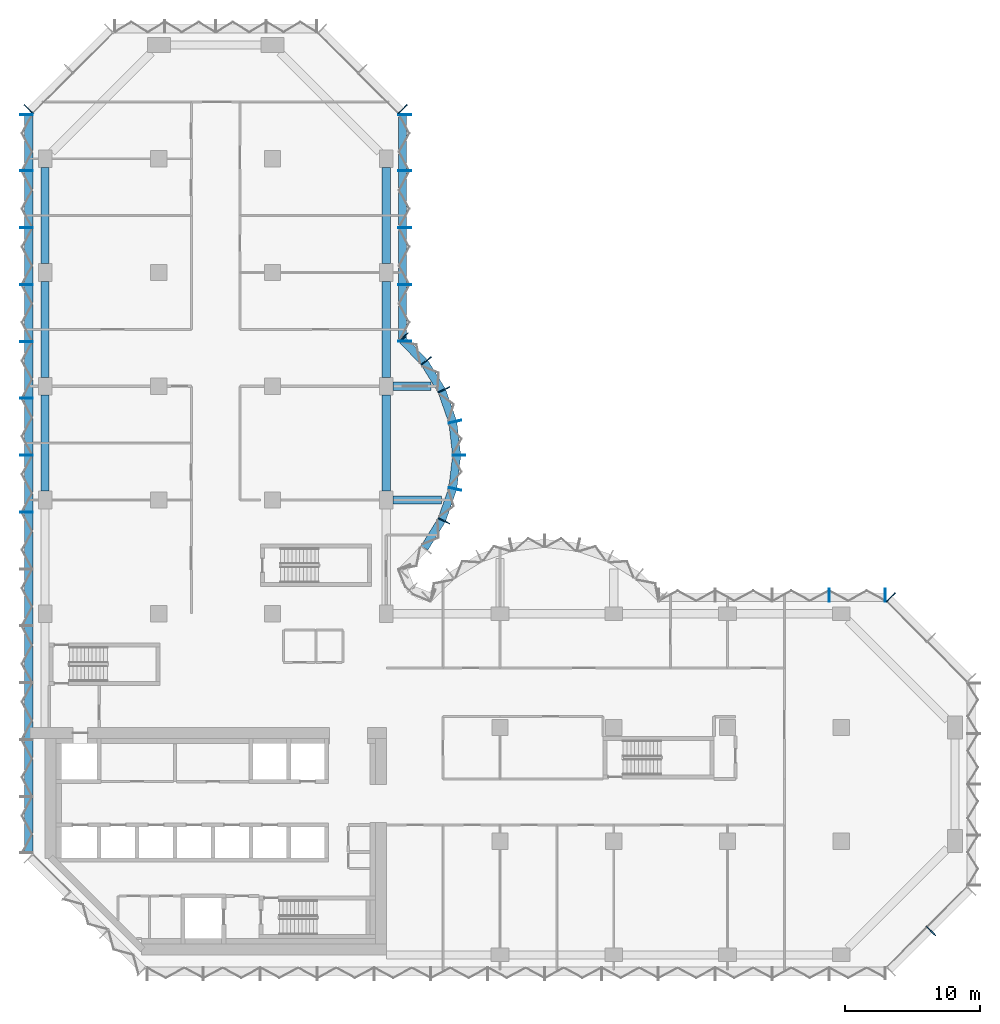
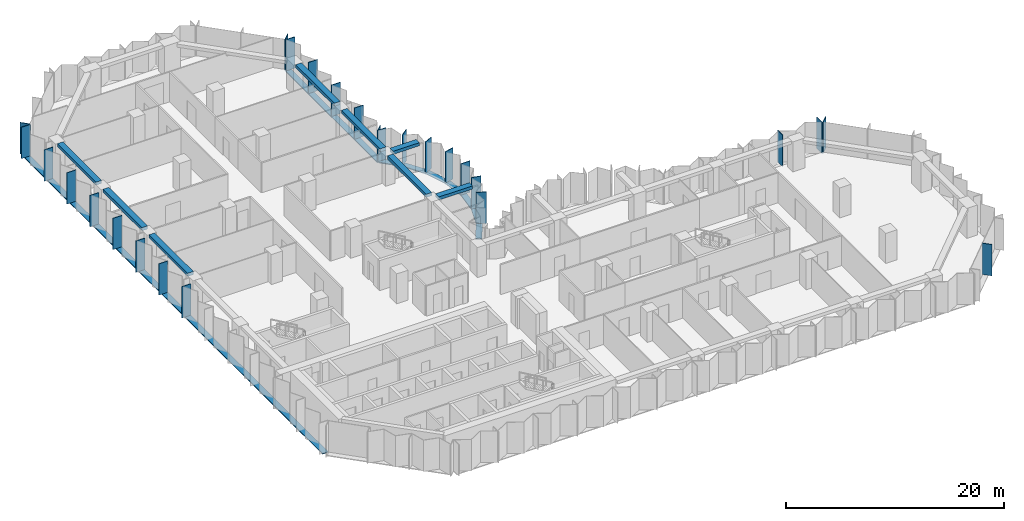
# One storey, part 3 of 13: 35 members, 8 beams, 8 elements without a shape of their own.
"""IFC4 building model written with IfcOpenShell, lengths in metres."""

from ifc_helpers import new_model, si_unit, direction, frame, origin, origin_2d, place, context, subcontext, project, spatial, rectangle, extrude, material, material_profile, profile_set, type_object, element, aggregate, save


model = new_model("IFC4")

# Units and contexts
model_context = context("Model", 3, precision=1e-05, world=origin(), true_north=direction((0.0, 1.0)))
body_context = subcontext(model_context, "Body", "Model", "MODEL_VIEW")
ifc_project = project(units=[si_unit("LENGTHUNIT", "METRE"), si_unit("AREAUNIT", "SQUARE_METRE"), si_unit("VOLUMEUNIT", "CUBIC_METRE"), si_unit("PLANEANGLEUNIT", "RADIAN"), si_unit("MASSUNIT", "GRAM", prefix="KILO")], contexts=[model_context])

# Site, building, storey
site_placement = place(None, origin())
site = spatial("IfcSite", under=ifc_project, at=site_placement, CompositionType="ELEMENT")
building_placement = place(site_placement, origin())
building = spatial("IfcBuilding", under=site, at=building_placement, Name="Brevane Broadcast Tower", CompositionType="ELEMENT")
storey_placement = place(building_placement, frame((0.0, 0.0, 127.699951171875)))
storey = spatial("IfcBuildingStorey", under=building, at=storey_placement, Name="L31", CompositionType="ELEMENT", Elevation=127.699951171875)

# Curtain wall, member
ifc_material_1 = material(Name="Aluminium 6063-T6 bronze anodised", Category="aluminium")
curtain_wall_type = type_object("IfcCurtainWallType", Name="CW-1 curtain wall", PredefinedType="NOTDEFINED", material=ifc_material_1)
curtain_wall_1_placement = place(storey_placement, origin())
curtain_wall_1 = element("IfcCurtainWall", 1, at=curtain_wall_1_placement, inside=storey, type_object=curtain_wall_type, Name="CW-1 typical tilted unit L31 south-east chamfer", PredefinedType="NOTDEFINED")
ifc_material_profile_1 = material_profile(ifc_material_1, rectangle(XDim=0.949951171875, YDim=0.070068359375, at=origin_2d()), Name="RECT 70x950")
ifc_profile_set_1 = profile_set([ifc_material_profile_1], Name="Aluminium 6063-T6 bronze anodised")
member_type_1 = type_object("IfcMemberType", Name="CW-1 mullion 70x950", PredefinedType="MULLION", material=ifc_profile_set_1)
member_1_placement = place(storey_placement, frame((65.435791015625, 1.76416015625, -0.14990234375), z_axis=(0.0, 0.0, 1.0), x_axis=(-0.707106781187, 0.707106781187, 0.0)))
member_1 = element("IfcMember", 2, at=member_1_placement, type_object=member_type_1, Name="CW-1 mullion", PredefinedType="MULLION", context=body_context, shape_type="SweptSolid", body=[
    extrude(rectangle(XDim=0.949951171875, YDim=0.070068359375, at=origin_2d()), origin(), (0.0, 0.0, 1.0), 3.5),
])
aggregate(curtain_wall_1, [member_1])

curtain_wall_2_placement = place(storey_placement, origin())
curtain_wall_2 = element("IfcCurtainWall", 3, at=curtain_wall_2_placement, inside=storey, type_object=curtain_wall_type, Name="CW-1 typical tilted unit L31 north-east chamfer", PredefinedType="NOTDEFINED")
member_2_placement = place(storey_placement, frame((62.460693359375, 26.4111328125, -0.14990234375), z_axis=(0.0, 0.0, 1.0), x_axis=(-0.707106781187, -0.707106781187, 0.0)))
member_2 = element("IfcMember", 4, at=member_2_placement, type_object=member_type_1, Name="CW-1 mullion", PredefinedType="MULLION", context=body_context, shape_type="SweptSolid", body=[
    extrude(rectangle(XDim=0.949951171875, YDim=0.070068359375, at=origin_2d()), origin(), (0.0, 0.0, 1.0), 3.5),
])
aggregate(curtain_wall_2, [member_2])

# Curtain wall, members
curtain_wall_3_placement = place(storey_placement, origin())
curtain_wall_3 = element("IfcCurtainWall", 5, at=curtain_wall_3_placement, inside=storey, type_object=curtain_wall_type, Name="CW-1 typical tilted unit L31 east arm north face", PredefinedType="NOTDEFINED")
member_3_placement = place(storey_placement, frame((62.06494140625, 26.574951171875, -0.14990234375), z_axis=(0.0, 0.0, 1.0), x_axis=(0.0, -1.0, 0.0)))
member_3 = element("IfcMember", 6, at=member_3_placement, type_object=member_type_1, Name="CW-1 mullion", PredefinedType="MULLION", context=body_context, shape_type="SweptSolid", body=[
    extrude(rectangle(XDim=0.949951171875, YDim=0.070068359375, at=origin_2d()), origin(), (0.0, 0.0, 1.0), 3.5),
])
member_4_placement = place(storey_placement, frame((57.89990234375, 26.574951171875, -0.14990234375), z_axis=(0.0, 0.0, 1.0), x_axis=(0.0, -1.0, 0.0)))
member_4 = element("IfcMember", 7, at=member_4_placement, type_object=member_type_1, Name="CW-1 mullion", PredefinedType="MULLION", context=body_context, shape_type="SweptSolid", body=[
    extrude(rectangle(XDim=0.949951171875, YDim=0.070068359375, at=origin_2d()), origin(), (0.0, 0.0, 1.0), 3.5),
])
aggregate(curtain_wall_3, [member_3, member_4])

curtain_wall_4_placement = place(storey_placement, origin())
curtain_wall_4 = element("IfcCurtainWall", 8, at=curtain_wall_4_placement, inside=storey, type_object=curtain_wall_type, Name="CW-1 typical tilted unit L31 north bow", PredefinedType="NOTDEFINED")
member_5_placement = place(storey_placement, frame((29.4580078125, 32.05322265625, -0.14990234375), z_axis=(0.0, 0.0, 1.0), x_axis=(-0.902860508933, 0.429933601163, 0.0)))
member_5 = element("IfcMember", 9, at=member_5_placement, type_object=member_type_1, Name="CW-1 mullion", PredefinedType="MULLION", context=body_context, shape_type="SweptSolid", body=[
    extrude(rectangle(XDim=0.949951171875, YDim=0.070068359375, at=origin_2d()), origin(), (0.0, 0.0, 1.0), 3.5),
])
member_6_placement = place(storey_placement, frame((30.28076171875, 34.411865234375, -0.14990234375), z_axis=(0.0, 0.0, 1.0), x_axis=(-0.974403430594, 0.224806482215, 0.0)))
member_6 = element("IfcMember", 10, at=member_6_placement, type_object=member_type_1, Name="CW-1 mullion", PredefinedType="MULLION", context=body_context, shape_type="SweptSolid", body=[
    extrude(rectangle(XDim=0.949951171875, YDim=0.070068359375, at=origin_2d()), origin(), (0.0, 0.0, 1.0), 3.5),
])
member_7_placement = place(storey_placement, frame((30.574951171875, 36.89990234375, -0.14990234375), z_axis=(0.0, 0.0, 1.0), x_axis=(-1.0, 0.0, 0.0)))
member_7 = element("IfcMember", 11, at=member_7_placement, type_object=member_type_1, Name="CW-1 mullion", PredefinedType="MULLION", context=body_context, shape_type="SweptSolid", body=[
    extrude(rectangle(XDim=0.949951171875, YDim=0.070068359375, at=origin_2d()), origin(), (0.0, 0.0, 1.0), 3.5),
])
member_8_placement = place(storey_placement, frame((30.28076171875, 39.38818359375, -0.14990234375), z_axis=(0.0, 0.0, 1.0), x_axis=(-0.974403430594, -0.224806482215, 0.0)))
member_8 = element("IfcMember", 12, at=member_8_placement, type_object=member_type_1, Name="CW-1 mullion", PredefinedType="MULLION", context=body_context, shape_type="SweptSolid", body=[
    extrude(rectangle(XDim=0.949951171875, YDim=0.070068359375, at=origin_2d()), origin(), (0.0, 0.0, 1.0), 3.5),
])
member_9_placement = place(storey_placement, frame((29.4580078125, 41.746826171875, -0.14990234375), z_axis=(0.0, 0.0, 1.0), x_axis=(-0.902860508933, -0.429933601163, 0.0)))
member_9 = element("IfcMember", 13, at=member_9_placement, type_object=member_type_1, Name="CW-1 mullion", PredefinedType="MULLION", context=body_context, shape_type="SweptSolid", body=[
    extrude(rectangle(XDim=0.949951171875, YDim=0.070068359375, at=origin_2d()), origin(), (0.0, 0.0, 1.0), 3.5),
])
member_10_placement = place(storey_placement, frame((28.1455078125, 43.8720703125, -0.14990234375), z_axis=(0.0, 0.0, 1.0), x_axis=(-0.788706642853, -0.614769738617, 0.0)))
member_10 = element("IfcMember", 14, at=member_10_placement, type_object=member_type_1, Name="CW-1 mullion", PredefinedType="MULLION", context=body_context, shape_type="SweptSolid", body=[
    extrude(rectangle(XDim=0.949951171875, YDim=0.070068359375, at=origin_2d()), origin(), (0.0, 0.0, 1.0), 3.5),
])
member_11_placement = place(storey_placement, frame((26.465087890625, 45.60595703125, -0.14990234375), z_axis=(0.0, 0.0, 1.0), x_axis=(-0.717253872699, -0.696811941702, 0.0)))
member_11 = element("IfcMember", 15, at=member_11_placement, type_object=member_type_1, Name="CW-1 mullion", PredefinedType="MULLION", context=body_context, shape_type="SweptSolid", body=[
    extrude(rectangle(XDim=0.949951171875, YDim=0.070068359375, at=origin_2d()), origin(), (0.0, 0.0, 1.0), 3.5),
])

curtain_wall_5_placement = place(storey_placement, origin())
curtain_wall_5 = element("IfcCurtainWall", 16, at=curtain_wall_5_placement, inside=storey, type_object=curtain_wall_type, Name="CW-1 typical tilted unit L31 north arm east face", PredefinedType="NOTDEFINED")
member_12_placement = place(storey_placement, frame((26.574951171875, 45.3349609375, -0.14990234375), z_axis=(0.0, 0.0, 1.0), x_axis=(-1.0, 0.0, 0.0)))
member_12 = element("IfcMember", 17, at=member_12_placement, type_object=member_type_1, Name="CW-1 mullion", PredefinedType="MULLION", context=body_context, shape_type="SweptSolid", body=[
    extrude(rectangle(XDim=0.949951171875, YDim=0.070068359375, at=origin_2d()), origin(), (0.0, 0.0, 1.0), 3.5),
])
member_13_placement = place(storey_placement, frame((26.574951171875, 49.5, -0.14990234375), z_axis=(0.0, 0.0, 1.0), x_axis=(-1.0, 0.0, 0.0)))
member_13 = element("IfcMember", 18, at=member_13_placement, type_object=member_type_1, Name="CW-1 mullion", PredefinedType="MULLION", context=body_context, shape_type="SweptSolid", body=[
    extrude(rectangle(XDim=0.949951171875, YDim=0.070068359375, at=origin_2d()), origin(), (0.0, 0.0, 1.0), 3.5),
])
member_14_placement = place(storey_placement, frame((26.574951171875, 53.699951171875, -0.14990234375), z_axis=(0.0, 0.0, 1.0), x_axis=(-1.0, 0.0, 0.0)))
member_14 = element("IfcMember", 19, at=member_14_placement, type_object=member_type_1, Name="CW-1 mullion", PredefinedType="MULLION", context=body_context, shape_type="SweptSolid", body=[
    extrude(rectangle(XDim=0.949951171875, YDim=0.070068359375, at=origin_2d()), origin(), (0.0, 0.0, 1.0), 3.5),
])
member_15_placement = place(storey_placement, frame((26.574951171875, 57.89990234375, -0.14990234375), z_axis=(0.0, 0.0, 1.0), x_axis=(-1.0, 0.0, 0.0)))
member_15 = element("IfcMember", 20, at=member_15_placement, type_object=member_type_1, Name="CW-1 mullion", PredefinedType="MULLION", context=body_context, shape_type="SweptSolid", body=[
    extrude(rectangle(XDim=0.949951171875, YDim=0.070068359375, at=origin_2d()), origin(), (0.0, 0.0, 1.0), 3.5),
])
member_16_placement = place(storey_placement, frame((26.574951171875, 62.06494140625, -0.14990234375), z_axis=(0.0, 0.0, 1.0), x_axis=(-1.0, 0.0, 0.0)))
member_16 = element("IfcMember", 21, at=member_16_placement, type_object=member_type_1, Name="CW-1 mullion", PredefinedType="MULLION", context=body_context, shape_type="SweptSolid", body=[
    extrude(rectangle(XDim=0.949951171875, YDim=0.070068359375, at=origin_2d()), origin(), (0.0, 0.0, 1.0), 3.5),
])

# Curtain wall, member
curtain_wall_6_placement = place(storey_placement, origin())
curtain_wall_6 = element("IfcCurtainWall", 22, at=curtain_wall_6_placement, inside=storey, type_object=curtain_wall_type, Name="CW-1 typical tilted unit L31 north arm north-east chamfer", PredefinedType="NOTDEFINED")
member_17_placement = place(storey_placement, frame((26.4111328125, 62.460693359375, -0.14990234375), z_axis=(0.0, 0.0, 1.0), x_axis=(-0.707106781187, -0.707106781187, 0.0)))
member_17 = element("IfcMember", 23, at=member_17_placement, type_object=member_type_1, Name="CW-1 mullion", PredefinedType="MULLION", context=body_context, shape_type="SweptSolid", body=[
    extrude(rectangle(XDim=0.949951171875, YDim=0.070068359375, at=origin_2d()), origin(), (0.0, 0.0, 1.0), 3.5),
])
aggregate(curtain_wall_6, [member_17])

curtain_wall_7_placement = place(storey_placement, origin())
curtain_wall_7 = element("IfcCurtainWall", 24, at=curtain_wall_7_placement, inside=storey, type_object=curtain_wall_type, Name="CW-1 typical tilted unit L31 north-west chamfer", PredefinedType="NOTDEFINED")
member_18_placement = place(storey_placement, frame((-1.211181640625, 62.460693359375, -0.14990234375), z_axis=(0.0, 0.0, 1.0), x_axis=(0.707106781187, -0.707106781187, 0.0)))
member_18 = element("IfcMember", 25, at=member_18_placement, type_object=member_type_1, Name="CW-1 mullion", PredefinedType="MULLION", context=body_context, shape_type="SweptSolid", body=[
    extrude(rectangle(XDim=0.949951171875, YDim=0.070068359375, at=origin_2d()), origin(), (0.0, 0.0, 1.0), 3.5),
])
aggregate(curtain_wall_7, [member_18])

# Curtain wall, members
curtain_wall_8_placement = place(storey_placement, origin())
curtain_wall_8 = element("IfcCurtainWall", 26, at=curtain_wall_8_placement, inside=storey, type_object=curtain_wall_type, Name="CW-1 typical tilted unit L31 west face", PredefinedType="NOTDEFINED")
member_19_placement = place(storey_placement, frame((-1.375, 62.06494140625, -0.14990234375), z_axis=(0.0, 0.0, 1.0), x_axis=(1.0, 0.0, 0.0)))
member_19 = element("IfcMember", 27, at=member_19_placement, type_object=member_type_1, Name="CW-1 mullion", PredefinedType="MULLION", context=body_context, shape_type="SweptSolid", body=[
    extrude(rectangle(XDim=0.949951171875, YDim=0.070068359375, at=origin_2d()), origin(), (0.0, 0.0, 1.0), 3.5),
])
member_20_placement = place(storey_placement, frame((-1.375, 57.89990234375, -0.14990234375), z_axis=(0.0, 0.0, 1.0), x_axis=(1.0, 0.0, 0.0)))
member_20 = element("IfcMember", 28, at=member_20_placement, type_object=member_type_1, Name="CW-1 mullion", PredefinedType="MULLION", context=body_context, shape_type="SweptSolid", body=[
    extrude(rectangle(XDim=0.949951171875, YDim=0.070068359375, at=origin_2d()), origin(), (0.0, 0.0, 1.0), 3.5),
])
member_21_placement = place(storey_placement, frame((-1.375, 53.699951171875, -0.14990234375), z_axis=(0.0, 0.0, 1.0), x_axis=(1.0, 0.0, 0.0)))
member_21 = element("IfcMember", 29, at=member_21_placement, type_object=member_type_1, Name="CW-1 mullion", PredefinedType="MULLION", context=body_context, shape_type="SweptSolid", body=[
    extrude(rectangle(XDim=0.949951171875, YDim=0.070068359375, at=origin_2d()), origin(), (0.0, 0.0, 1.0), 3.5),
])
member_22_placement = place(storey_placement, frame((-1.375, 49.5, -0.14990234375), z_axis=(0.0, 0.0, 1.0), x_axis=(1.0, 0.0, 0.0)))
member_22 = element("IfcMember", 30, at=member_22_placement, type_object=member_type_1, Name="CW-1 mullion", PredefinedType="MULLION", context=body_context, shape_type="SweptSolid", body=[
    extrude(rectangle(XDim=0.949951171875, YDim=0.070068359375, at=origin_2d()), origin(), (0.0, 0.0, 1.0), 3.5),
])
member_23_placement = place(storey_placement, frame((-1.375, 45.300048828125, -0.14990234375), z_axis=(0.0, 0.0, 1.0), x_axis=(1.0, 0.0, 0.0)))
member_23 = element("IfcMember", 31, at=member_23_placement, type_object=member_type_1, Name="CW-1 mullion", PredefinedType="MULLION", context=body_context, shape_type="SweptSolid", body=[
    extrude(rectangle(XDim=0.949951171875, YDim=0.070068359375, at=origin_2d()), origin(), (0.0, 0.0, 1.0), 3.5),
])
member_24_placement = place(storey_placement, frame((-1.375, 41.10009765625, -0.14990234375), z_axis=(0.0, 0.0, 1.0), x_axis=(1.0, 0.0, 0.0)))
member_24 = element("IfcMember", 32, at=member_24_placement, type_object=member_type_1, Name="CW-1 mullion", PredefinedType="MULLION", context=body_context, shape_type="SweptSolid", body=[
    extrude(rectangle(XDim=0.949951171875, YDim=0.070068359375, at=origin_2d()), origin(), (0.0, 0.0, 1.0), 3.5),
])
member_25_placement = place(storey_placement, frame((-1.375, 36.89990234375, -0.14990234375), z_axis=(0.0, 0.0, 1.0), x_axis=(1.0, 0.0, 0.0)))
member_25 = element("IfcMember", 33, at=member_25_placement, type_object=member_type_1, Name="CW-1 mullion", PredefinedType="MULLION", context=body_context, shape_type="SweptSolid", body=[
    extrude(rectangle(XDim=0.949951171875, YDim=0.070068359375, at=origin_2d()), origin(), (0.0, 0.0, 1.0), 3.5),
])
member_26_placement = place(storey_placement, frame((-1.375, 32.699951171875, -0.14990234375), z_axis=(0.0, 0.0, 1.0), x_axis=(1.0, 0.0, 0.0)))
member_26 = element("IfcMember", 34, at=member_26_placement, type_object=member_type_1, Name="CW-1 mullion", PredefinedType="MULLION", context=body_context, shape_type="SweptSolid", body=[
    extrude(rectangle(XDim=0.949951171875, YDim=0.070068359375, at=origin_2d()), origin(), (0.0, 0.0, 1.0), 3.5),
])

# Member
ifc_material_profile_2 = material_profile(ifc_material_1, rectangle(XDim=0.60009765625, YDim=0.10009765625, at=origin_2d()), Name="RECT 100x600")
ifc_profile_set_2 = profile_set([ifc_material_profile_2], Name="Aluminium 6063-T6 bronze anodised")
member_type_2 = type_object("IfcMemberType", Name="CW-1 transom 100x600", PredefinedType="USERDEFINED", material=ifc_profile_set_2)
member_27_placement = place(storey_placement, frame((28.023193359375, 30.0576171875, -0.199951171875), z_axis=(0.525427766759, 0.850838211365, 0.0), x_axis=(-0.850838211365, 0.525427766759, 0.0)))
member_27 = element("IfcMember", 35, at=member_27_placement, type_object=member_type_2, Name="CW-1 transom", ObjectType="TRANSOM", PredefinedType="USERDEFINED", context=body_context, shape_type="SweptSolid", body=[
    extrude(rectangle(XDim=0.60009765625, YDim=0.10009765625, at=origin_2d()), origin(), (0.0, 0.0, 1.0), 2.394775390625),
])

member_28_placement = place(storey_placement, frame((29.314208984375, 32.163818359375, -0.199951171875), z_axis=(0.329378497041, 0.944197969542, 0.0), x_axis=(-0.944197969542, 0.329378497041, 0.0)))
member_28 = element("IfcMember", 36, at=member_28_placement, type_object=member_type_2, Name="CW-1 transom", ObjectType="TRANSOM", PredefinedType="USERDEFINED", context=body_context, shape_type="SweptSolid", body=[
    extrude(rectangle(XDim=0.60009765625, YDim=0.10009765625, at=origin_2d()), origin(), (0.0, 0.0, 1.0), 2.394775390625),
])

member_29_placement = place(storey_placement, frame((30.117431640625, 34.499755859375, -0.199951171875), z_axis=(0.117603307202, 0.993060653805, 0.0), x_axis=(-0.993060653805, 0.117603307202, 0.0)))
member_29 = element("IfcMember", 37, at=member_29_placement, type_object=member_type_2, Name="CW-1 transom", ObjectType="TRANSOM", PredefinedType="USERDEFINED", context=body_context, shape_type="SweptSolid", body=[
    extrude(rectangle(XDim=0.60009765625, YDim=0.10009765625, at=origin_2d()), origin(), (0.0, 0.0, 1.0), 2.397705078125),
])

member_30_placement = place(storey_placement, frame((30.3994140625, 36.9189453125, -0.199951171875), z_axis=(-0.117591417, 0.993062061831, 0.0), x_axis=(-0.993062061831, -0.117591417, 0.0)))
member_30 = element("IfcMember", 38, at=member_30_placement, type_object=member_type_2, Name="CW-1 transom", ObjectType="TRANSOM", PredefinedType="USERDEFINED", context=body_context, shape_type="SweptSolid", body=[
    extrude(rectangle(XDim=0.60009765625, YDim=0.10009765625, at=origin_2d()), origin(), (0.0, 0.0, 1.0), 2.39794921875),
])

member_31_placement = place(storey_placement, frame((30.10302734375, 39.375, -0.199951171875), z_axis=(-0.329378497041, 0.944197969542, 0.0), x_axis=(-0.944197969542, -0.329378497041, 0.0)))
member_31 = element("IfcMember", 39, at=member_31_placement, type_object=member_type_2, Name="CW-1 transom", ObjectType="TRANSOM", PredefinedType="USERDEFINED", context=body_context, shape_type="SweptSolid", body=[
    extrude(rectangle(XDim=0.60009765625, YDim=0.10009765625, at=origin_2d()), origin(), (0.0, 0.0, 1.0), 2.394775390625),
])

member_32_placement = place(storey_placement, frame((29.281494140625, 41.704833984375, -0.199951171875), z_axis=(-0.525473345162, 0.850810063131, 0.0), x_axis=(-0.850810063131, -0.525473345162, 0.0)))
member_32 = element("IfcMember", 40, at=member_32_placement, type_object=member_type_2, Name="CW-1 transom", ObjectType="TRANSOM", PredefinedType="USERDEFINED", context=body_context, shape_type="SweptSolid", body=[
    extrude(rectangle(XDim=0.60009765625, YDim=0.10009765625, at=origin_2d()), origin(), (0.0, 0.0, 1.0), 2.39453125),
])

member_33_placement = place(storey_placement, frame((27.974365234375, 43.800537109375, -0.199951171875), z_axis=(-0.696823999134, 0.71724215871, 0.0), x_axis=(-0.71724215871, -0.696823999134, 0.0)))
member_33 = element("IfcMember", 41, at=member_33_placement, type_object=member_type_2, Name="CW-1 transom", ObjectType="TRANSOM", PredefinedType="USERDEFINED", context=body_context, shape_type="SweptSolid", body=[
    extrude(rectangle(XDim=0.60009765625, YDim=0.10009765625, at=origin_2d()), origin(), (0.0, 0.0, 1.0), 2.247802734375),
])

aggregate(curtain_wall_4, [member_5, member_6, member_7, member_8, member_9, member_10, member_11, member_27, member_28, member_29, member_30, member_31, member_32, member_33])

member_34_placement = place(storey_placement, frame((26.39990234375, 45.300048828125, -0.199951171875), z_axis=(0.0, 1.0, 0.0), x_axis=(-1.0, 0.0, 0.0)))
member_34 = element("IfcMember", 42, at=member_34_placement, type_object=member_type_2, Name="CW-1 transom", ObjectType="TRANSOM", PredefinedType="USERDEFINED", context=body_context, shape_type="SweptSolid", body=[
    extrude(rectangle(XDim=0.60009765625, YDim=0.10009765625, at=origin_2d()), origin(), (0.0, 0.0, 1.0), 16.800048828125),
])

aggregate(curtain_wall_5, [member_12, member_13, member_14, member_15, member_16, member_34])

member_35_placement = place(storey_placement, frame((-1.199951171875, 62.10009765625, -0.199951171875), z_axis=(0.0, -1.0, 0.0), x_axis=(1.0, 0.0, 0.0)))
member_35 = element("IfcMember", 43, at=member_35_placement, type_object=member_type_2, Name="CW-1 transom", ObjectType="TRANSOM", PredefinedType="USERDEFINED", context=body_context, shape_type="SweptSolid", body=[
    extrude(rectangle(XDim=0.60009765625, YDim=0.10009765625, at=origin_2d()), origin(), (0.0, 0.0, 1.0), 54.60009765625),
])

aggregate(curtain_wall_8, [member_19, member_20, member_21, member_22, member_23, member_24, member_25, member_26, member_35])

# Beams
ifc_material_2 = material(Name="Concrete C40/50", Category="concrete")
ifc_material_profile_3 = material_profile(ifc_material_2, rectangle(XDim=0.60009765625, YDim=0.35009765625, at=origin_2d()), Name="RC 600x350")
ifc_profile_set_3 = profile_set([ifc_material_profile_3], Name="Concrete C40/50")
beam_type_1 = type_object("IfcBeamType", Name="RC BRACKET BEAM 600x350 C40/50", PredefinedType="BEAM", material=ifc_profile_set_3)
beam_1_placement = place(storey_placement, frame((25.699951171875, 33.60009765625, 3.175048828125), z_axis=(1.0, 0.0, 0.0), x_axis=(0.0, 1.0, 0.0)))
element("IfcBeam", 44, at=beam_1_placement, inside=storey, type_object=beam_type_1, Name="EB2 L31-1", PredefinedType="BEAM", context=body_context, shape_type="SweptSolid", body=[
    extrude(rectangle(XDim=0.60009765625, YDim=0.35009765625, at=origin_2d()), origin(), (0.0, 0.0, 1.0), 3.56201171875),
])
beam_2_placement = place(storey_placement, frame((25.699951171875, 42.0, 3.175048828125), z_axis=(1.0, 0.0, 0.0), x_axis=(0.0, 1.0, 0.0)))
element("IfcBeam", 45, at=beam_2_placement, inside=storey, type_object=beam_type_1, Name="EB2 L31-2", PredefinedType="BEAM", context=body_context, shape_type="SweptSolid", body=[
    extrude(rectangle(XDim=0.60009765625, YDim=0.35009765625, at=origin_2d()), origin(), (0.0, 0.0, 1.0), 2.8115234375),
])
ifc_material_profile_4 = material_profile(ifc_material_2, rectangle(XDim=0.60009765625, YDim=0.35009765625, at=origin_2d()), Name="RC 600x350")
ifc_profile_set_4 = profile_set([ifc_material_profile_4], Name="Concrete C40/50")
beam_type_2 = type_object("IfcBeamType", Name="RC SPANDREL BEAM 600x350 C40/50", PredefinedType="SPANDREL", material=ifc_profile_set_4)
for number, where, z_axis, x_axis, name in (
    (46, (25.199951171875, 34.25, 3.175048828125), (0.0, 1.0, 0.0), (-1.0, 0.0, 0.0), "EB1 L31-13"),
    (47, (25.199951171875, 42.64990234375, 3.175048828125), (0.0, 1.0, 0.0), (-1.0, 0.0, 0.0), "EB1 L31-14"),
):
    element("IfcBeam", number, at=place(storey_placement, frame(where, z_axis=z_axis, x_axis=x_axis)), inside=storey, type_object=beam_type_2, Name=name, PredefinedType="SPANDREL", context=body_context, shape_type="SweptSolid", body=[
        extrude(rectangle(XDim=0.60009765625, YDim=0.35009765625, at=origin_2d()), origin(), (0.0, 0.0, 1.0), 7.10009765625),
    ])
for number, where, z_axis, x_axis, name in (
    (48, (25.199951171875, 51.050048828125, 3.175048828125), (0.0, 1.0, 0.0), (-1.0, 0.0, 0.0), "EB1 L31-15"),
    (49, (0.0, 58.14990234375, 3.175048828125), (0.0, -1.0, 0.0), (1.0, 0.0, 0.0), "EB1 L31-19"),
):
    element("IfcBeam", number, at=place(storey_placement, frame(where, z_axis=z_axis, x_axis=x_axis)), inside=storey, type_object=beam_type_2, Name=name, PredefinedType="SPANDREL", context=body_context, shape_type="SweptSolid", body=[
        extrude(rectangle(XDim=0.60009765625, YDim=0.35009765625, at=origin_2d()), origin(), (0.0, 0.0, 1.0), 7.099853515625),
    ])
for number, where, z_axis, x_axis, name in (
    (50, (0.0, 49.75, 3.175048828125), (0.0, -1.0, 0.0), (1.0, 0.0, 0.0), "EB1 L31-20"),
    (51, (0.0, 41.35009765625, 3.175048828125), (0.0, -1.0, 0.0), (1.0, 0.0, 0.0), "EB1 L31-21"),
):
    element("IfcBeam", number, at=place(storey_placement, frame(where, z_axis=z_axis, x_axis=x_axis)), inside=storey, type_object=beam_type_2, Name=name, PredefinedType="SPANDREL", context=body_context, shape_type="SweptSolid", body=[
        extrude(rectangle(XDim=0.60009765625, YDim=0.35009765625, at=origin_2d()), origin(), (0.0, 0.0, 1.0), 7.10009765625),
    ])

save(model, "model.ifc")
